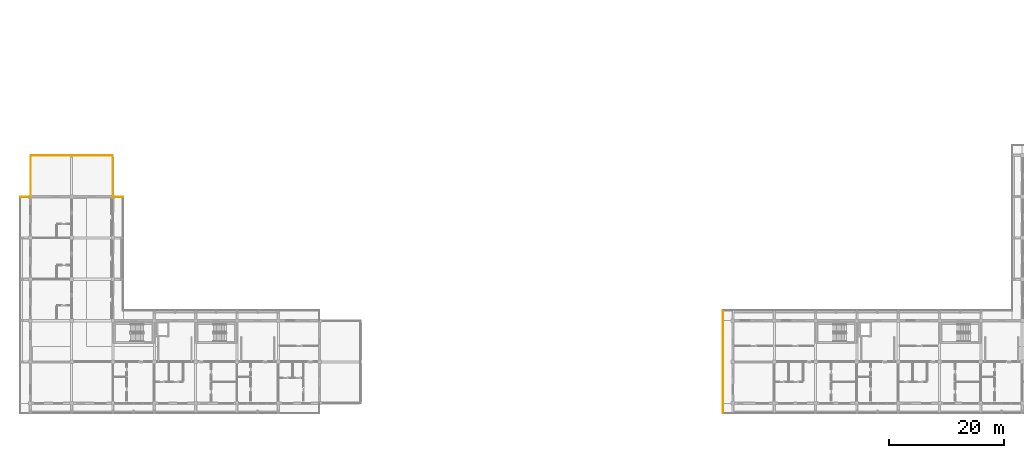
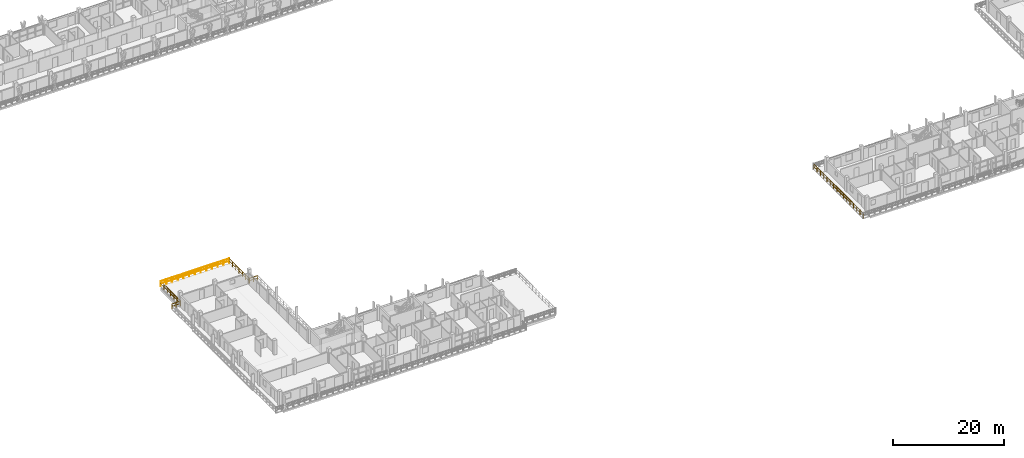
# One storey, part 66 of 78: 6 railings.
"""IFC4 building model written with IfcOpenShell, lengths in metres."""

import ifcopenshell
import ifcopenshell.guid

model = None  # the IFC model being written
_history = None  # IfcOwnerHistory: only IFC2X3 demands one
_inside = {}  # id of a spatial element -> (the spatial element, [elements in it])
_under = {}  # id of a project, library or spatial element -> (it, [spatial elements below it])
_declared = {}  # id of a project -> (the project, [libraries it declares])
_typed = {}  # id of a type object -> (the type object, [elements of that type])
_made_of = {}  # id of a material, layer set ... -> (it, [elements and type objects made of it])


def new_model(schema):
    """Start an empty IFC model of exactly this schema.

    Asked for "IFC4X3", IfcOpenShell would pick the latest addendum, in which some entities
    have other attributes; the version numbers below select the first issue.
    IFC2X3 requires an IfcOwnerHistory on every rooted entity: one is made here for all.
    """
    global model, _history
    if schema == "IFC4X3":
        model = ifcopenshell.file(schema_version=(4, 3, 0, 0))
    else:
        model = ifcopenshell.file(schema=schema)
    _inside.clear()
    _under.clear()
    _declared.clear()
    _typed.clear()
    _made_of.clear()
    _history = None
    if model.schema == "IFC2X3":
        org = make("IfcOrganization", Name="unknown")
        user = make(
            "IfcPersonAndOrganization",
            ThePerson=make("IfcPerson", FamilyName="unknown"),
            TheOrganization=org,
        )
        app = make(
            "IfcApplication",
            ApplicationDeveloper=org,
            Version="unknown",
            ApplicationFullName="unknown",
            ApplicationIdentifier="unknown",
        )
        _history = make(
            "IfcOwnerHistory",
            OwningUser=user,
            OwningApplication=app,
            ChangeAction="ADDED",
            CreationDate=0,
        )
    return model


def make(cls, **values):
    """One entity of the class cls with the attributes given. An attribute that is None is left unset."""
    return model.create_entity(
        cls, **{name: value for name, value in values.items() if value is not None}
    )


def rooted(cls, **values):
    """An entity with a GlobalId (a new one), such as an element, a storey or a relation."""
    return make(cls, GlobalId=ifcopenshell.guid.new(), OwnerHistory=_history, **values)


def si_unit(unit_type, name, prefix=None):
    """IfcSIUnit, for example si_unit("LENGTHUNIT", "METRE", prefix="MILLI")."""
    return make("IfcSIUnit", UnitType=unit_type, Prefix=prefix, Name=name)


def assignment(units):
    """IfcUnitAssignment: the units of a project."""
    return None if units is None else make("IfcUnitAssignment", Units=units)


def point(xyz):
    """IfcCartesianPoint."""
    return None if xyz is None else make("IfcCartesianPoint", Coordinates=xyz)


def direction(xyz):
    """IfcDirection."""
    return None if xyz is None else make("IfcDirection", DirectionRatios=xyz)


def frame(location, z_axis=None, x_axis=None):
    """IfcAxis2Placement3D, a coordinate frame: its origin and axes. An axis left out is left unset."""
    return make(
        "IfcAxis2Placement3D",
        Location=point(location),
        Axis=direction(z_axis),
        RefDirection=direction(x_axis),
    )


def frame_2d(location, x_axis=None):
    """IfcAxis2Placement2D, a coordinate frame in the plane: its origin and x axis."""
    return make(
        "IfcAxis2Placement2D", Location=point(location), RefDirection=direction(x_axis)
    )


def origin():
    """The frame at (0, 0, 0) with its axes left unset."""
    return frame((0.0, 0.0, 0.0))


def origin_2d():
    """The frame at (0, 0) in the plane with its x axis left unset."""
    return frame_2d((0.0, 0.0))


def place(relative_to, where):
    """IfcLocalPlacement: puts the frame where relative to a parent placement (None: the world)."""
    return make(
        "IfcLocalPlacement", PlacementRelTo=relative_to, RelativePlacement=where
    )


def context(
    kind, dimensions, precision=None, world=None, true_north=None, identifier=None
):
    """IfcGeometricRepresentationContext, for example the 3D "Model" context."""
    return make(
        "IfcGeometricRepresentationContext",
        ContextIdentifier=identifier,
        ContextType=kind,
        CoordinateSpaceDimension=dimensions,
        Precision=precision,
        WorldCoordinateSystem=world,
        TrueNorth=true_north,
    )


def subcontext(parent, identifier, kind, view, scale=None):
    """IfcGeometricRepresentationSubContext, for example "Body" below "Model"."""
    return make(
        "IfcGeometricRepresentationSubContext",
        ContextIdentifier=identifier,
        ContextType=kind,
        ParentContext=parent,
        TargetScale=scale,
        TargetView=view,
    )


def project(units=None, contexts=None):
    """IfcProject with its units and contexts."""
    return rooted(
        "IfcProject",
        Name="project",
        RepresentationContexts=contexts,
        UnitsInContext=assignment(units),
    )


def spatial(cls, under=None, at=None, **own):
    """A site, building, storey or space (cls), placed at a placement, below another one or the project."""
    s = rooted(cls, ObjectPlacement=at, **own)
    if under is not None:
        _under.setdefault(under.id(), (under, []))[1].append(s)
    return s


def profile(cls, at=None, kind="AREA", **sizes):
    """A parametric profile (cls). Its sizes go by their IFC names, for example OverallWidth=200.0."""
    return make(cls, ProfileType=kind, Position=at, **sizes)


def rectangle(**sizes):
    """IfcRectangleProfileDef."""
    return profile("IfcRectangleProfileDef", **sizes)


def extrude(swept, where, along, depth):
    """IfcExtrudedAreaSolid: the profile swept, set in the frame where, extruded along a direction by depth."""
    return make(
        "IfcExtrudedAreaSolid",
        SweptArea=swept,
        Position=where,
        ExtrudedDirection=direction(along),
        Depth=depth,
    )


def shape(context_of_items, identifier, shape_type, items):
    """IfcShapeRepresentation: the items that make up one representation, for example the "Body"."""
    return make(
        "IfcShapeRepresentation",
        ContextOfItems=context_of_items,
        RepresentationIdentifier=identifier,
        RepresentationType=shape_type,
        Items=items,
    )


def material(Name=None, Category=None):
    """IfcMaterial."""
    return make("IfcMaterial", Name=Name, Category=Category)


def made_of(thing, what):
    """Note that an element or type object is made of a material, layer set ...; save() writes the relation."""
    if what is not None:
        _made_of.setdefault(what.id(), (what, []))[1].append(thing)
    return thing


def type_object(cls, material=None, **own):
    """A type object (cls), such as IfcWallType, which elements share."""
    return made_of(rooted(cls, **own), material)


def element(
    cls,
    number,
    at=None,
    inside=None,
    cuts=None,
    type_object=None,
    material=None,
    context=None,
    identifier="Body",
    shape_type=None,
    held_by="IfcProductDefinitionShape",
    body=None,
    shapes=None,
    **own,
):
    """One element of the class cls, such as IfcWall. Its Tag is "e" and its number.

    at: its placement. inside: the storey or other place that contains it. cuts: it is an
    opening in that element (IfcRelVoidsElement). A single representation is given by context,
    identifier, shape_type and body (its items); several are given by shapes. held_by: the class
    of the entity that holds the representations. save() writes the other relations.
    """
    e = rooted(cls, Tag="e%d" % number, ObjectPlacement=at, **own)
    if body is not None:
        shapes = [shape(context, identifier, shape_type, body)]
    if shapes is not None:
        e.Representation = make(held_by, Representations=shapes)
    if inside is not None:
        _inside.setdefault(inside.id(), (inside, []))[1].append(e)
    if cuts is not None:
        rooted(
            "IfcRelVoidsElement", RelatingBuildingElement=cuts, RelatedOpeningElement=e
        )
    if type_object is not None:
        _typed.setdefault(type_object.id(), (type_object, []))[1].append(e)
    return made_of(e, material)


def aggregate(whole, parts):
    """IfcRelAggregates: a whole, such as a stair, and the parts it consists of."""
    return rooted("IfcRelAggregates", RelatingObject=whole, RelatedObjects=parts)


def save(model, path):
    """Write the relations noted so far, then the file.

    IfcRelAggregates (storeys below a building ...), IfcRelContainedInSpatialStructure (elements
    in a storey), IfcRelDefinesByType, IfcRelAssociatesMaterial and IfcRelDeclares: one each for
    every whole, place, type object, material and project.
    """
    for whole, parts in _under.values():
        aggregate(whole, parts)
    for where, things in _inside.values():
        rooted(
            "IfcRelContainedInSpatialStructure",
            RelatedElements=things,
            RelatingStructure=where,
        )
    for kind, things in _typed.values():
        rooted("IfcRelDefinesByType", RelatedObjects=things, RelatingType=kind)
    for what, things in _made_of.values():
        rooted("IfcRelAssociatesMaterial", RelatedObjects=things, RelatingMaterial=what)
    for by, libraries in _declared.values():
        rooted("IfcRelDeclares", RelatingContext=by, RelatedDefinitions=libraries)
    model.write(path)


model = new_model("IFC4")

# Units and contexts
model_context = context("Model", 3, precision=1e-05, world=origin(), true_north=direction((0.0, 1.0)))
body_context = subcontext(model_context, "Body", "Model", "MODEL_VIEW")
ifc_project = project(units=[si_unit("LENGTHUNIT", "METRE"), si_unit("AREAUNIT", "SQUARE_METRE"), si_unit("VOLUMEUNIT", "CUBIC_METRE"), si_unit("PLANEANGLEUNIT", "RADIAN"), si_unit("MASSUNIT", "GRAM", prefix="KILO")], contexts=[model_context])

# Site, building, storey
site_placement = place(None, origin())
site = spatial("IfcSite", under=ifc_project, at=site_placement, CompositionType="ELEMENT")
building_placement = place(site_placement, origin())
building = spatial("IfcBuilding", under=site, at=building_placement, Name="Suanplinth Sawtooth Commons", CompositionType="ELEMENT")
storey_placement = place(building_placement, frame((0.0, 0.0, 15.39990234375)))
storey = spatial("IfcBuildingStorey", under=building, at=storey_placement, Name="L04", CompositionType="ELEMENT", Elevation=15.39990234375)

# Railings
ifc_material = material(Name="Powder-coated galvanized steel", Category="steel")
railing_type = type_object("IfcRailingType", Name="GR-01", PredefinedType="BALUSTRADE", material=ifc_material)
railing_1_placement = place(storey_placement, frame((120.659912109375, -1.739990234375, 0.0)))
element("IfcRailing", 1, at=railing_1_placement, inside=storey, type_object=railing_type, Name="L04 Block C Perimeter Balustrade 1", PredefinedType="BALUSTRADE", context=body_context, shape_type="SweptSolid", body=[
    extrude(rectangle(XDim=0.048095703125, YDim=0.048095703125, at=origin_2d()), frame((0.0, 0.0, 1.09619140625), z_axis=(0.0, 1.0, 0.0), x_axis=(-1.0, 0.0, 0.0)), (0.0, 0.0, 1.0), 17.8798828125),
    extrude(rectangle(XDim=0.03369140625, YDim=0.03369140625, at=origin_2d()), frame((0.0, 0.0, 0.56005859375), z_axis=(0.0, 1.0, 0.0), x_axis=(-1.0, 0.0, 0.0)), (0.0, 0.0, 1.0), 17.8798828125),
    extrude(rectangle(XDim=0.0419921875, YDim=0.0419921875, at=origin_2d()), origin(), (0.0, 0.0, 1.0), 1.072021484375),
    extrude(rectangle(XDim=0.0419921875, YDim=0.0419921875, at=origin_2d()), frame((0.0, 1.19189453125, 0.0)), (0.0, 0.0, 1.0), 1.072021484375),
    extrude(rectangle(XDim=0.0419921875, YDim=0.0419921875, at=origin_2d()), frame((0.0, 2.384033203125, 0.0)), (0.0, 0.0, 1.0), 1.072021484375),
    extrude(rectangle(XDim=0.0419921875, YDim=0.0419921875, at=origin_2d()), frame((0.0, 3.575927734375, 0.0)), (0.0, 0.0, 1.0), 1.072021484375),
    extrude(rectangle(XDim=0.0419921875, YDim=0.0419921875, at=origin_2d()), frame((0.0, 4.76806640625, 0.0)), (0.0, 0.0, 1.0), 1.072021484375),
    extrude(rectangle(XDim=0.0419921875, YDim=0.0419921875, at=origin_2d()), frame((0.0, 5.9599609375, 0.0)), (0.0, 0.0, 1.0), 1.072021484375),
    extrude(rectangle(XDim=0.0419921875, YDim=0.0419921875, at=origin_2d()), frame((0.0, 7.15185546875, 0.0)), (0.0, 0.0, 1.0), 1.072021484375),
    extrude(rectangle(XDim=0.0419921875, YDim=0.0419921875, at=origin_2d()), frame((0.0, 8.343994140625, 0.0)), (0.0, 0.0, 1.0), 1.072021484375),
    extrude(rectangle(XDim=0.0419921875, YDim=0.0419921875, at=origin_2d()), frame((0.0, 9.535888671875, 0.0)), (0.0, 0.0, 1.0), 1.072021484375),
    extrude(rectangle(XDim=0.0419921875, YDim=0.0419921875, at=origin_2d()), frame((0.0, 10.72802734375, 0.0)), (0.0, 0.0, 1.0), 1.072021484375),
    extrude(rectangle(XDim=0.0419921875, YDim=0.0419921875, at=origin_2d()), frame((0.0, 11.919921875, 0.0)), (0.0, 0.0, 1.0), 1.072021484375),
    extrude(rectangle(XDim=0.0419921875, YDim=0.0419921875, at=origin_2d()), frame((0.0, 13.11181640625, 0.0)), (0.0, 0.0, 1.0), 1.072021484375),
    extrude(rectangle(XDim=0.0419921875, YDim=0.0419921875, at=origin_2d()), frame((0.0, 14.303955078125, 0.0)), (0.0, 0.0, 1.0), 1.072021484375),
    extrude(rectangle(XDim=0.0419921875, YDim=0.0419921875, at=origin_2d()), frame((0.0, 15.495849609375, 0.0)), (0.0, 0.0, 1.0), 1.072021484375),
    extrude(rectangle(XDim=0.0419921875, YDim=0.0419921875, at=origin_2d()), frame((0.0, 16.68798828125, 0.0)), (0.0, 0.0, 1.0), 1.072021484375),
    extrude(rectangle(XDim=0.0419921875, YDim=0.0419921875, at=origin_2d()), frame((0.0, 17.8798828125, 0.0)), (0.0, 0.0, 1.0), 1.072021484375),
])
railing_2_placement = place(storey_placement, frame((-1.739990234375, 35.93994140625, 0.0)))
element("IfcRailing", 2, at=railing_2_placement, inside=storey, type_object=railing_type, Name="L04 Block D Perimeter Balustrade 2", PredefinedType="BALUSTRADE", context=body_context, shape_type="SweptSolid", body=[
    extrude(rectangle(XDim=0.048095703125, YDim=0.048095703125, at=origin_2d()), frame((0.0, 0.0, 1.09619140625), z_axis=(1.0, 0.0, 0.0), x_axis=(0.0, 1.0, 0.0)), (0.0, 0.0, 1.0), 1.719970703125),
    extrude(rectangle(XDim=0.03369140625, YDim=0.03369140625, at=origin_2d()), frame((0.0, 0.0, 0.56005859375), z_axis=(1.0, 0.0, 0.0), x_axis=(0.0, 1.0, 0.0)), (0.0, 0.0, 1.0), 1.719970703125),
    extrude(rectangle(XDim=0.0419921875, YDim=0.0419921875, at=origin_2d()), origin(), (0.0, 0.0, 1.0), 1.072021484375),
    extrude(rectangle(XDim=0.0419921875, YDim=0.0419921875, at=origin_2d()), frame((0.85986328125, 0.0, 0.0)), (0.0, 0.0, 1.0), 1.072021484375),
    extrude(rectangle(XDim=0.0419921875, YDim=0.0419921875, at=origin_2d()), frame((1.719970703125, 0.0, 0.0)), (0.0, 0.0, 1.0), 1.072021484375),
])
railing_3_placement = place(storey_placement, frame((0.06005859375, 36.02001953125, 0.0)))
element("IfcRailing", 3, at=railing_3_placement, inside=storey, type_object=railing_type, Name="L04 Block D Perimeter Balustrade 3", PredefinedType="BALUSTRADE", context=body_context, shape_type="SweptSolid", body=[
    extrude(rectangle(XDim=0.048095703125, YDim=0.048095703125, at=origin_2d()), frame((0.0, 0.0, 1.09619140625), z_axis=(0.0, 1.0, 0.0), x_axis=(-1.0, 0.0, 0.0)), (0.0, 0.0, 1.0), 7.119873046875),
    extrude(rectangle(XDim=0.03369140625, YDim=0.03369140625, at=origin_2d()), frame((0.0, 0.0, 0.56005859375), z_axis=(0.0, 1.0, 0.0), x_axis=(-1.0, 0.0, 0.0)), (0.0, 0.0, 1.0), 7.119873046875),
    extrude(rectangle(XDim=0.0419921875, YDim=0.0419921875, at=origin_2d()), origin(), (0.0, 0.0, 1.0), 1.072021484375),
    extrude(rectangle(XDim=0.0419921875, YDim=0.0419921875, at=origin_2d()), frame((0.0, 1.1865234375, 0.0)), (0.0, 0.0, 1.0), 1.072021484375),
    extrude(rectangle(XDim=0.0419921875, YDim=0.0419921875, at=origin_2d()), frame((0.0, 2.373291015625, 0.0)), (0.0, 0.0, 1.0), 1.072021484375),
    extrude(rectangle(XDim=0.0419921875, YDim=0.0419921875, at=origin_2d()), frame((0.0, 3.56005859375, 0.0)), (0.0, 0.0, 1.0), 1.072021484375),
    extrude(rectangle(XDim=0.0419921875, YDim=0.0419921875, at=origin_2d()), frame((0.0, 4.74658203125, 0.0)), (0.0, 0.0, 1.0), 1.072021484375),
    extrude(rectangle(XDim=0.0419921875, YDim=0.0419921875, at=origin_2d()), frame((0.0, 5.93310546875, 0.0)), (0.0, 0.0, 1.0), 1.072021484375),
    extrude(rectangle(XDim=0.0419921875, YDim=0.0419921875, at=origin_2d()), frame((0.0, 7.119873046875, 0.0)), (0.0, 0.0, 1.0), 1.072021484375),
])
railing_4_placement = place(storey_placement, frame((0.06005859375, 43.139892578125, 0.0)))
element("IfcRailing", 4, at=railing_4_placement, inside=storey, type_object=railing_type, Name="L04 Block D Perimeter Balustrade 4", PredefinedType="BALUSTRADE", context=body_context, shape_type="SweptSolid", body=[
    extrude(rectangle(XDim=0.048095703125, YDim=0.048095703125, at=origin_2d()), frame((0.0, 0.0, 1.09619140625), z_axis=(1.0, 0.0, 0.0), x_axis=(0.0, 1.0, 0.0)), (0.0, 0.0, 1.0), 14.280029296875),
    extrude(rectangle(XDim=0.03369140625, YDim=0.03369140625, at=origin_2d()), frame((0.0, 0.0, 0.56005859375), z_axis=(1.0, 0.0, 0.0), x_axis=(0.0, 1.0, 0.0)), (0.0, 0.0, 1.0), 14.280029296875),
    extrude(rectangle(XDim=0.0419921875, YDim=0.0419921875, at=origin_2d()), origin(), (0.0, 0.0, 1.0), 1.072021484375),
    extrude(rectangle(XDim=0.0419921875, YDim=0.0419921875, at=origin_2d()), frame((1.18994140625, 0.0, 0.0)), (0.0, 0.0, 1.0), 1.072021484375),
    extrude(rectangle(XDim=0.0419921875, YDim=0.0419921875, at=origin_2d()), frame((2.3798828125, 0.0, 0.0)), (0.0, 0.0, 1.0), 1.072021484375),
    extrude(rectangle(XDim=0.0419921875, YDim=0.0419921875, at=origin_2d()), frame((3.570068359375, 0.0, 0.0)), (0.0, 0.0, 1.0), 1.072021484375),
    extrude(rectangle(XDim=0.0419921875, YDim=0.0419921875, at=origin_2d()), frame((4.760009765625, 0.0, 0.0)), (0.0, 0.0, 1.0), 1.072021484375),
    extrude(rectangle(XDim=0.0419921875, YDim=0.0419921875, at=origin_2d()), frame((5.949951171875, 0.0, 0.0)), (0.0, 0.0, 1.0), 1.072021484375),
    extrude(rectangle(XDim=0.0419921875, YDim=0.0419921875, at=origin_2d()), frame((7.14013671875, 0.0, 0.0)), (0.0, 0.0, 1.0), 1.072021484375),
    extrude(rectangle(XDim=0.0419921875, YDim=0.0419921875, at=origin_2d()), frame((8.330078125, 0.0, 0.0)), (0.0, 0.0, 1.0), 1.072021484375),
    extrude(rectangle(XDim=0.0419921875, YDim=0.0419921875, at=origin_2d()), frame((9.52001953125, 0.0, 0.0)), (0.0, 0.0, 1.0), 1.072021484375),
    extrude(rectangle(XDim=0.0419921875, YDim=0.0419921875, at=origin_2d()), frame((10.7099609375, 0.0, 0.0)), (0.0, 0.0, 1.0), 1.072021484375),
    extrude(rectangle(XDim=0.0419921875, YDim=0.0419921875, at=origin_2d()), frame((11.89990234375, 0.0, 0.0)), (0.0, 0.0, 1.0), 1.072021484375),
    extrude(rectangle(XDim=0.0419921875, YDim=0.0419921875, at=origin_2d()), frame((13.090087890625, 0.0, 0.0)), (0.0, 0.0, 1.0), 1.072021484375),
    extrude(rectangle(XDim=0.0419921875, YDim=0.0419921875, at=origin_2d()), frame((14.280029296875, 0.0, 0.0)), (0.0, 0.0, 1.0), 1.072021484375),
])
railing_5_placement = place(storey_placement, frame((14.340087890625, 43.139892578125, 0.0)))
element("IfcRailing", 5, at=railing_5_placement, inside=storey, type_object=railing_type, Name="L04 Block D Perimeter Balustrade 5", PredefinedType="BALUSTRADE", context=body_context, shape_type="SweptSolid", body=[
    extrude(rectangle(XDim=0.048095703125, YDim=0.048095703125, at=origin_2d()), frame((0.0, 0.0, 1.09619140625), z_axis=(0.0, -1.0, 0.0), x_axis=(1.0, 0.0, 0.0)), (0.0, 0.0, 1.0), 7.119873046875),
    extrude(rectangle(XDim=0.03369140625, YDim=0.03369140625, at=origin_2d()), frame((0.0, 0.0, 0.56005859375), z_axis=(0.0, -1.0, 0.0), x_axis=(1.0, 0.0, 0.0)), (0.0, 0.0, 1.0), 7.119873046875),
    extrude(rectangle(XDim=0.0419921875, YDim=0.0419921875, at=origin_2d()), origin(), (0.0, 0.0, 1.0), 1.072021484375),
    extrude(rectangle(XDim=0.0419921875, YDim=0.0419921875, at=origin_2d()), frame((0.0, -1.1865234375, 0.0)), (0.0, 0.0, 1.0), 1.072021484375),
    extrude(rectangle(XDim=0.0419921875, YDim=0.0419921875, at=origin_2d()), frame((0.0, -2.373291015625, 0.0)), (0.0, 0.0, 1.0), 1.072021484375),
    extrude(rectangle(XDim=0.0419921875, YDim=0.0419921875, at=origin_2d()), frame((0.0, -3.56005859375, 0.0)), (0.0, 0.0, 1.0), 1.072021484375),
    extrude(rectangle(XDim=0.0419921875, YDim=0.0419921875, at=origin_2d()), frame((0.0, -4.74658203125, 0.0)), (0.0, 0.0, 1.0), 1.072021484375),
    extrude(rectangle(XDim=0.0419921875, YDim=0.0419921875, at=origin_2d()), frame((0.0, -5.93310546875, 0.0)), (0.0, 0.0, 1.0), 1.072021484375),
    extrude(rectangle(XDim=0.0419921875, YDim=0.0419921875, at=origin_2d()), frame((0.0, -7.119873046875, 0.0)), (0.0, 0.0, 1.0), 1.072021484375),
])
railing_6_placement = place(storey_placement, frame((14.419921875, 35.93994140625, 0.0)))
element("IfcRailing", 6, at=railing_6_placement, inside=storey, type_object=railing_type, Name="L04 Block D Perimeter Balustrade 6", PredefinedType="BALUSTRADE", context=body_context, shape_type="SweptSolid", body=[
    extrude(rectangle(XDim=0.048095703125, YDim=0.048095703125, at=origin_2d()), frame((0.0, 0.0, 1.09619140625), z_axis=(1.0, 0.0, 0.0), x_axis=(0.0, 1.0, 0.0)), (0.0, 0.0, 1.0), 1.719970703125),
    extrude(rectangle(XDim=0.03369140625, YDim=0.03369140625, at=origin_2d()), frame((0.0, 0.0, 0.56005859375), z_axis=(1.0, 0.0, 0.0), x_axis=(0.0, 1.0, 0.0)), (0.0, 0.0, 1.0), 1.719970703125),
    extrude(rectangle(XDim=0.0419921875, YDim=0.0419921875, at=origin_2d()), origin(), (0.0, 0.0, 1.0), 1.072021484375),
    extrude(rectangle(XDim=0.0419921875, YDim=0.0419921875, at=origin_2d()), frame((0.85986328125, 0.0, 0.0)), (0.0, 0.0, 1.0), 1.072021484375),
    extrude(rectangle(XDim=0.0419921875, YDim=0.0419921875, at=origin_2d()), frame((1.719970703125, 0.0, 0.0)), (0.0, 0.0, 1.0), 1.072021484375),
])

save(model, "model.ifc")
